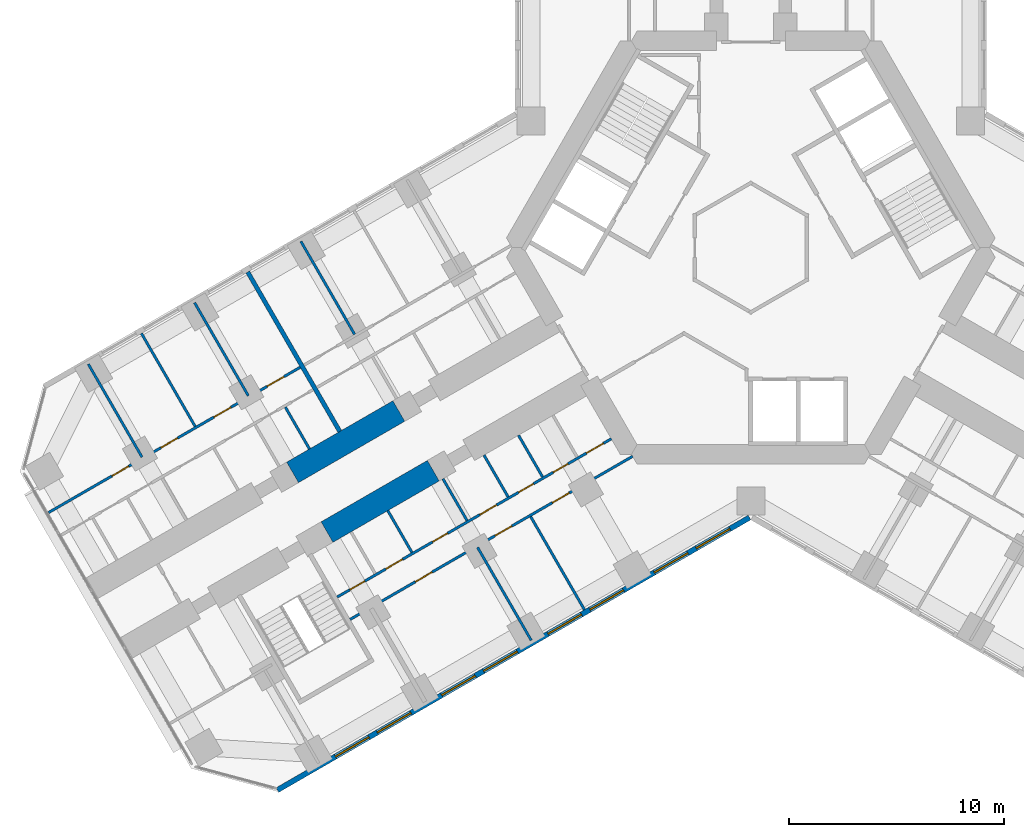
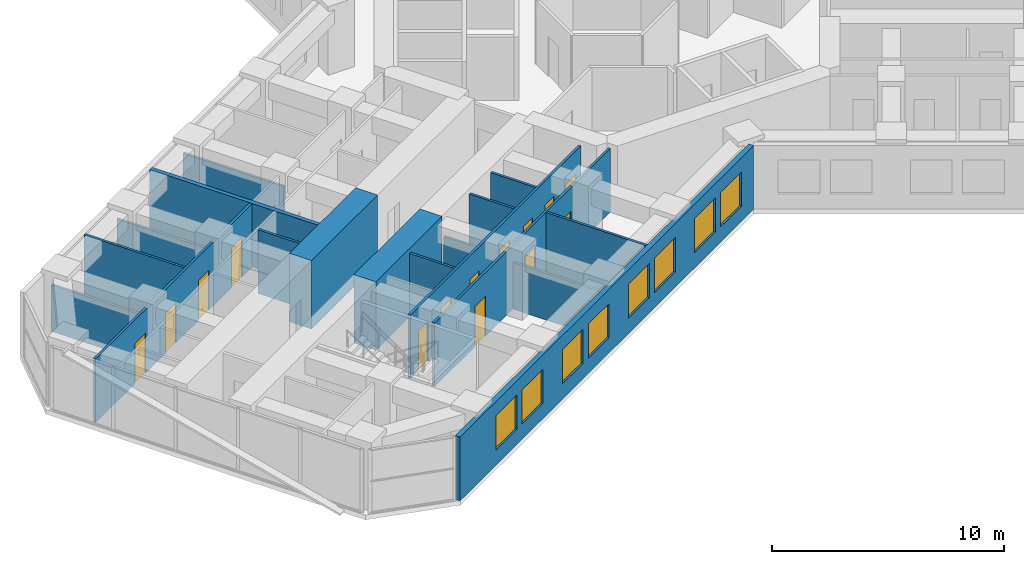
# One storey, part 11 of 19: 18 walls, 14 doors, 8 windows, 22 openings.
"""IFC4 building model written with IfcOpenShell, lengths in metres."""

import ifcopenshell
import ifcopenshell.guid

model = None  # the IFC model being written
_history = None  # IfcOwnerHistory: only IFC2X3 demands one
_inside = {}  # id of a spatial element -> (the spatial element, [elements in it])
_under = {}  # id of a project, library or spatial element -> (it, [spatial elements below it])
_declared = {}  # id of a project -> (the project, [libraries it declares])
_typed = {}  # id of a type object -> (the type object, [elements of that type])
_made_of = {}  # id of a material, layer set ... -> (it, [elements and type objects made of it])


def new_model(schema):
    """Start an empty IFC model of exactly this schema.

    Asked for "IFC4X3", IfcOpenShell would pick the latest addendum, in which some entities
    have other attributes; the version numbers below select the first issue.
    IFC2X3 requires an IfcOwnerHistory on every rooted entity: one is made here for all.
    """
    global model, _history
    if schema == "IFC4X3":
        model = ifcopenshell.file(schema_version=(4, 3, 0, 0))
    else:
        model = ifcopenshell.file(schema=schema)
    _inside.clear()
    _under.clear()
    _declared.clear()
    _typed.clear()
    _made_of.clear()
    _history = None
    if model.schema == "IFC2X3":
        org = make("IfcOrganization", Name="unknown")
        user = make(
            "IfcPersonAndOrganization",
            ThePerson=make("IfcPerson", FamilyName="unknown"),
            TheOrganization=org,
        )
        app = make(
            "IfcApplication",
            ApplicationDeveloper=org,
            Version="unknown",
            ApplicationFullName="unknown",
            ApplicationIdentifier="unknown",
        )
        _history = make(
            "IfcOwnerHistory",
            OwningUser=user,
            OwningApplication=app,
            ChangeAction="ADDED",
            CreationDate=0,
        )
    return model


def make(cls, **values):
    """One entity of the class cls with the attributes given. An attribute that is None is left unset."""
    return model.create_entity(
        cls, **{name: value for name, value in values.items() if value is not None}
    )


def rooted(cls, **values):
    """An entity with a GlobalId (a new one), such as an element, a storey or a relation."""
    return make(cls, GlobalId=ifcopenshell.guid.new(), OwnerHistory=_history, **values)


def si_unit(unit_type, name, prefix=None):
    """IfcSIUnit, for example si_unit("LENGTHUNIT", "METRE", prefix="MILLI")."""
    return make("IfcSIUnit", UnitType=unit_type, Prefix=prefix, Name=name)


def assignment(units):
    """IfcUnitAssignment: the units of a project."""
    return None if units is None else make("IfcUnitAssignment", Units=units)


def point(xyz):
    """IfcCartesianPoint."""
    return None if xyz is None else make("IfcCartesianPoint", Coordinates=xyz)


def direction(xyz):
    """IfcDirection."""
    return None if xyz is None else make("IfcDirection", DirectionRatios=xyz)


def frame(location, z_axis=None, x_axis=None):
    """IfcAxis2Placement3D, a coordinate frame: its origin and axes. An axis left out is left unset."""
    return make(
        "IfcAxis2Placement3D",
        Location=point(location),
        Axis=direction(z_axis),
        RefDirection=direction(x_axis),
    )


def frame_2d(location, x_axis=None):
    """IfcAxis2Placement2D, a coordinate frame in the plane: its origin and x axis."""
    return make(
        "IfcAxis2Placement2D", Location=point(location), RefDirection=direction(x_axis)
    )


def origin():
    """The frame at (0, 0, 0) with its axes left unset."""
    return frame((0.0, 0.0, 0.0))


def place(relative_to, where):
    """IfcLocalPlacement: puts the frame where relative to a parent placement (None: the world)."""
    return make(
        "IfcLocalPlacement", PlacementRelTo=relative_to, RelativePlacement=where
    )


def context(
    kind, dimensions, precision=None, world=None, true_north=None, identifier=None
):
    """IfcGeometricRepresentationContext, for example the 3D "Model" context."""
    return make(
        "IfcGeometricRepresentationContext",
        ContextIdentifier=identifier,
        ContextType=kind,
        CoordinateSpaceDimension=dimensions,
        Precision=precision,
        WorldCoordinateSystem=world,
        TrueNorth=true_north,
    )


def subcontext(parent, identifier, kind, view, scale=None):
    """IfcGeometricRepresentationSubContext, for example "Body" below "Model"."""
    return make(
        "IfcGeometricRepresentationSubContext",
        ContextIdentifier=identifier,
        ContextType=kind,
        ParentContext=parent,
        TargetScale=scale,
        TargetView=view,
    )


def project(units=None, contexts=None):
    """IfcProject with its units and contexts."""
    return rooted(
        "IfcProject",
        Name="project",
        RepresentationContexts=contexts,
        UnitsInContext=assignment(units),
    )


def spatial(cls, under=None, at=None, **own):
    """A site, building, storey or space (cls), placed at a placement, below another one or the project."""
    s = rooted(cls, ObjectPlacement=at, **own)
    if under is not None:
        _under.setdefault(under.id(), (under, []))[1].append(s)
    return s


def profile(cls, at=None, kind="AREA", **sizes):
    """A parametric profile (cls). Its sizes go by their IFC names, for example OverallWidth=200.0."""
    return make(cls, ProfileType=kind, Position=at, **sizes)


def rectangle(**sizes):
    """IfcRectangleProfileDef."""
    return profile("IfcRectangleProfileDef", **sizes)


def extrude(swept, where, along, depth):
    """IfcExtrudedAreaSolid: the profile swept, set in the frame where, extruded along a direction by depth."""
    return make(
        "IfcExtrudedAreaSolid",
        SweptArea=swept,
        Position=where,
        ExtrudedDirection=direction(along),
        Depth=depth,
    )


def shape(context_of_items, identifier, shape_type, items):
    """IfcShapeRepresentation: the items that make up one representation, for example the "Body"."""
    return make(
        "IfcShapeRepresentation",
        ContextOfItems=context_of_items,
        RepresentationIdentifier=identifier,
        RepresentationType=shape_type,
        Items=items,
    )


def material(Name=None, Category=None):
    """IfcMaterial."""
    return make("IfcMaterial", Name=Name, Category=Category)


def layer(
    of_material, thickness, ventilated=None, Name=None, Category=None, Priority=None
):
    """IfcMaterialLayer: one layer of a wall or slab, of a material (None: an air gap)."""
    return make(
        "IfcMaterialLayer",
        Material=of_material,
        LayerThickness=thickness,
        IsVentilated=ventilated,
        Name=Name,
        Category=Category,
        Priority=Priority,
    )


def layer_set(layers, Name=None):
    """IfcMaterialLayerSet."""
    return make("IfcMaterialLayerSet", MaterialLayers=layers, LayerSetName=Name)


def made_of(thing, what):
    """Note that an element or type object is made of a material, layer set ...; save() writes the relation."""
    if what is not None:
        _made_of.setdefault(what.id(), (what, []))[1].append(thing)
    return thing


def type_object(cls, material=None, **own):
    """A type object (cls), such as IfcWallType, which elements share."""
    return made_of(rooted(cls, **own), material)


def element(
    cls,
    number,
    at=None,
    inside=None,
    cuts=None,
    type_object=None,
    material=None,
    context=None,
    identifier="Body",
    shape_type=None,
    held_by="IfcProductDefinitionShape",
    body=None,
    shapes=None,
    **own,
):
    """One element of the class cls, such as IfcWall. Its Tag is "e" and its number.

    at: its placement. inside: the storey or other place that contains it. cuts: it is an
    opening in that element (IfcRelVoidsElement). A single representation is given by context,
    identifier, shape_type and body (its items); several are given by shapes. held_by: the class
    of the entity that holds the representations. save() writes the other relations.
    """
    e = rooted(cls, Tag="e%d" % number, ObjectPlacement=at, **own)
    if body is not None:
        shapes = [shape(context, identifier, shape_type, body)]
    if shapes is not None:
        e.Representation = make(held_by, Representations=shapes)
    if inside is not None:
        _inside.setdefault(inside.id(), (inside, []))[1].append(e)
    if cuts is not None:
        rooted(
            "IfcRelVoidsElement", RelatingBuildingElement=cuts, RelatedOpeningElement=e
        )
    if type_object is not None:
        _typed.setdefault(type_object.id(), (type_object, []))[1].append(e)
    return made_of(e, material)


def fill(opening, filler):
    """IfcRelFillsElement: the door or window that sits in an opening."""
    return rooted(
        "IfcRelFillsElement",
        RelatingOpeningElement=opening,
        RelatedBuildingElement=filler,
    )


def aggregate(whole, parts):
    """IfcRelAggregates: a whole, such as a stair, and the parts it consists of."""
    return rooted("IfcRelAggregates", RelatingObject=whole, RelatedObjects=parts)


def save(model, path):
    """Write the relations noted so far, then the file.

    IfcRelAggregates (storeys below a building ...), IfcRelContainedInSpatialStructure (elements
    in a storey), IfcRelDefinesByType, IfcRelAssociatesMaterial and IfcRelDeclares: one each for
    every whole, place, type object, material and project.
    """
    for whole, parts in _under.values():
        aggregate(whole, parts)
    for where, things in _inside.values():
        rooted(
            "IfcRelContainedInSpatialStructure",
            RelatedElements=things,
            RelatingStructure=where,
        )
    for kind, things in _typed.values():
        rooted("IfcRelDefinesByType", RelatedObjects=things, RelatingType=kind)
    for what, things in _made_of.values():
        rooted("IfcRelAssociatesMaterial", RelatedObjects=things, RelatingMaterial=what)
    for by, libraries in _declared.values():
        rooted("IfcRelDeclares", RelatingContext=by, RelatedDefinitions=libraries)
    model.write(path)


model = new_model("IFC4")

# Units and contexts
model_context = context("Model", 3, precision=1e-05, world=origin(), true_north=direction((0.0, 1.0)))
body_context = subcontext(model_context, "Body", "Model", "MODEL_VIEW")
ifc_project = project(units=[si_unit("LENGTHUNIT", "METRE"), si_unit("AREAUNIT", "SQUARE_METRE"), si_unit("VOLUMEUNIT", "CUBIC_METRE"), si_unit("PLANEANGLEUNIT", "RADIAN"), si_unit("MASSUNIT", "GRAM", prefix="KILO")], contexts=[model_context])

# Site, building, storey
site_placement = place(None, origin())
site = spatial("IfcSite", under=ifc_project, at=site_placement, CompositionType="ELEMENT")
building_placement = place(site_placement, origin())
building = spatial("IfcBuilding", under=site, at=building_placement, Name="Kosmar Iwan School Tower", CompositionType="ELEMENT")
storey_placement = place(building_placement, frame((0.0, 0.0, 120.199951171875)))
storey = spatial("IfcBuildingStorey", under=building, at=storey_placement, Name="L29", CompositionType="ELEMENT", Elevation=120.199951171875)

# Walls
ifc_material_1 = material(Name="Concrete C50/60", Category="concrete")
ifc_layer_1 = layer(ifc_material_1, 1.10009765625)
ifc_layer_set_1 = layer_set([ifc_layer_1], Name="Corridor buttress wall 1100")
wall_type_1 = type_object("IfcWallType", Name="Corridor buttress wall 1100", PredefinedType="SHEAR", material=ifc_layer_set_1)
for number, where, z_axis, x_axis, name in (
    (1, (-14.7451171875, -10.360595703125, 0.0), (0.0, 0.0, 1.0), (-0.866015111908, -0.50001782563, 0.0), "Corridor wall BL bay 2"),
    (2, (-16.34521484375, -7.58935546875, 0.0), (0.0, 0.0, 1.0), (-0.866015111908, -0.50001782563, 0.0), "Corridor wall BR bay 2"),
):
    element("IfcWall", number, at=place(storey_placement, frame(where, z_axis=z_axis, x_axis=x_axis)), inside=storey, type_object=wall_type_1, Name=name, PredefinedType="SHEAR", context=body_context, shape_type="SweptSolid", body=[
        extrude(rectangle(XDim=5.699951171875, YDim=1.10009765625, at=frame_2d((2.85009765625, 0.0))), origin(), (0.0, 0.0, 1.0), 3.60009765625),
    ])

# Wall, openings, doors
ifc_material_2 = material(Name="Gypsum board on steel studs", Category="steel")
ifc_layer_2 = layer(ifc_material_2, 0.1201171875)
ifc_layer_set_2 = layer_set([ifc_layer_2], Name="Dwelling partition 120")
wall_type_2 = type_object("IfcWallType", Name="Dwelling partition 120", PredefinedType="PARTITIONING", material=ifc_layer_set_2)
wall_1_placement = place(storey_placement, frame((-6.478515625, -8.87890625, 0.0), z_axis=(0.0, 0.0, 1.0), x_axis=(-0.866032090307, -0.499988418424, 0.0)))
wall_1 = element("IfcWall", 3, at=wall_1_placement, inside=storey, type_object=wall_type_2, Name="Partition L29-BL1-W1", PredefinedType="PARTITIONING", context=body_context, shape_type="SweptSolid", body=[
    extrude(rectangle(XDim=14.699951171875, YDim=0.1201171875, at=frame_2d((7.35009765625, 0.0))), origin(), (0.0, 0.0, 1.0), 3.35009765625),
])
opening_1_placement = place(wall_1_placement, frame((0.425048828125, 0.0, 0.0)))
opening_1 = element("IfcOpeningElement", 4, at=opening_1_placement, cuts=wall_1, Name="Opening D2", PredefinedType="OPENING", context=body_context, shape_type="SweptSolid", body=[
    extrude(rectangle(XDim=0.89990234375, YDim=2.10009765625, at=frame_2d((0.449951171875, 1.050048828125))), frame((0.0, 0.072021484375, 0.0), z_axis=(0.0, -1.0, 0.0), x_axis=(1.0, 0.0, 0.0)), (0.0, 0.0, 1.0), 0.14404296875),
])
opening_2_placement = place(wall_1_placement, frame((2.324951171875, 0.0, 0.0)))
opening_2 = element("IfcOpeningElement", 5, at=opening_2_placement, cuts=wall_1, Name="Opening D3", PredefinedType="OPENING", context=body_context, shape_type="SweptSolid", body=[
    extrude(rectangle(XDim=0.800048828125, YDim=2.10009765625, at=frame_2d((0.39990234375, 1.050048828125))), frame((0.0, 0.072021484375, 0.0), z_axis=(0.0, -1.0, 0.0), x_axis=(1.0, 0.0, 0.0)), (0.0, 0.0, 1.0), 0.14404296875),
])
opening_3_placement = place(wall_1_placement, frame((4.175048828125, 0.0, 0.0)))
opening_3 = element("IfcOpeningElement", 6, at=opening_3_placement, cuts=wall_1, Name="Opening D3", PredefinedType="OPENING", context=body_context, shape_type="SweptSolid", body=[
    extrude(rectangle(XDim=0.800048828125, YDim=2.10009765625, at=frame_2d((0.39990234375, 1.050048828125))), frame((0.0, 0.072021484375, 0.0), z_axis=(0.0, -1.0, 0.0), x_axis=(1.0, 0.0, 0.0)), (0.0, 0.0, 1.0), 0.14404296875),
])
opening_4_placement = place(wall_1_placement, frame((6.14990234375, 0.0, 0.0)))
opening_4 = element("IfcOpeningElement", 7, at=opening_4_placement, cuts=wall_1, Name="Opening D2", PredefinedType="OPENING", context=body_context, shape_type="SweptSolid", body=[
    extrude(rectangle(XDim=0.89990234375, YDim=2.10009765625, at=frame_2d((0.449951171875, 1.050048828125))), frame((0.0, 0.072021484375, 0.0), z_axis=(0.0, -1.0, 0.0), x_axis=(1.0, 0.0, 0.0)), (0.0, 0.0, 1.0), 0.14404296875),
])
opening_5_placement = place(wall_1_placement, frame((8.778564453125, 0.0, 0.0)))
opening_5 = element("IfcOpeningElement", 8, at=opening_5_placement, cuts=wall_1, Name="Opening D3", PredefinedType="OPENING", context=body_context, shape_type="SweptSolid", body=[
    extrude(rectangle(XDim=0.800048828125, YDim=2.10009765625, at=frame_2d((0.39990234375, 1.050048828125))), frame((0.0, 0.072021484375, 0.0), z_axis=(0.0, -1.0, 0.0), x_axis=(1.0, 0.0, 0.0)), (0.0, 0.0, 1.0), 0.14404296875),
])
opening_6_placement = place(wall_1_placement, frame((11.19287109375, 0.0, 0.0)))
opening_6 = element("IfcOpeningElement", 9, at=opening_6_placement, cuts=wall_1, Name="Opening D2", PredefinedType="OPENING", context=body_context, shape_type="SweptSolid", body=[
    extrude(rectangle(XDim=0.89990234375, YDim=2.10009765625, at=frame_2d((0.449951171875, 1.050048828125))), frame((0.0, 0.072021484375, 0.0), z_axis=(0.0, -1.0, 0.0), x_axis=(1.0, 0.0, 0.0)), (0.0, 0.0, 1.0), 0.14404296875),
])
opening_7_placement = place(wall_1_placement, frame((13.21435546875, 0.0, 0.0)))
opening_7 = element("IfcOpeningElement", 10, at=opening_7_placement, cuts=wall_1, Name="Opening D3", PredefinedType="OPENING", context=body_context, shape_type="SweptSolid", body=[
    extrude(rectangle(XDim=0.800048828125, YDim=2.10009765625, at=frame_2d((0.39990234375, 1.050048828125))), frame((0.0, 0.072021484375, 0.0), z_axis=(0.0, -1.0, 0.0), x_axis=(1.0, 0.0, 0.0)), (0.0, 0.0, 1.0), 0.14404296875),
])
ifc_material_3 = material(Name="Timber door in timber frame", Category="wood")
door_type_1 = type_object("IfcDoorType", Name="Internal door 900x2100", OperationType="SINGLE_SWING_LEFT", PredefinedType="DOOR", material=ifc_material_3)
door_1_placement = place(opening_1_placement, origin())
door_1 = element("IfcDoor", 11, at=door_1_placement, inside=storey, type_object=door_type_1, Name="Utility room door L29-BL1-S1", OperationType="SINGLE_SWING_LEFT", OverallHeight=2.10009765625, OverallWidth=0.89990234375, PredefinedType="DOOR", context=body_context, shape_type="SweptSolid", body=[
    extrude(rectangle(XDim=0.89990234375, YDim=2.10009765625, at=frame_2d((0.449951171875, 1.050048828125))), frame((0.0, 0.02490234375, 0.0), z_axis=(0.0, -1.0, 0.0), x_axis=(1.0, 0.0, 0.0)), (0.0, 0.0, 1.0), 0.050048828125),
])
fill(opening_1, door_1)
door_2_placement = place(opening_4_placement, origin())
door_2 = element("IfcDoor", 12, at=door_2_placement, inside=storey, type_object=door_type_1, Name="Entrance hall door L29-BL1-S4", OperationType="SINGLE_SWING_LEFT", OverallHeight=2.10009765625, OverallWidth=0.89990234375, PredefinedType="DOOR", context=body_context, shape_type="SweptSolid", body=[
    extrude(rectangle(XDim=0.89990234375, YDim=2.10009765625, at=frame_2d((0.449951171875, 1.050048828125))), frame((0.0, 0.02490234375, 0.0), z_axis=(0.0, -1.0, 0.0), x_axis=(1.0, 0.0, 0.0)), (0.0, 0.0, 1.0), 0.050048828125),
])
fill(opening_4, door_2)
door_3_placement = place(opening_6_placement, origin())
door_3 = element("IfcDoor", 13, at=door_3_placement, inside=storey, type_object=door_type_1, Name="Pantry door L29-BL1-S6", OperationType="SINGLE_SWING_RIGHT", OverallHeight=2.10009765625, OverallWidth=0.89990234375, PredefinedType="DOOR", context=body_context, shape_type="SweptSolid", body=[
    extrude(rectangle(XDim=0.89990234375, YDim=2.10009765625, at=frame_2d((0.449951171875, 1.050048828125))), frame((0.0, 0.02490234375, 0.0), z_axis=(0.0, -1.0, 0.0), x_axis=(1.0, 0.0, 0.0)), (0.0, 0.0, 1.0), 0.050048828125),
])
fill(opening_6, door_3)
ifc_material_4 = material(Name="Timber door in timber frame", Category="wood")
door_type_2 = type_object("IfcDoorType", Name="Sanitary room door 800x2100", OperationType="SINGLE_SWING_LEFT", PredefinedType="DOOR", material=ifc_material_4)
door_4_placement = place(opening_2_placement, origin())
door_4 = element("IfcDoor", 14, at=door_4_placement, inside=storey, type_object=door_type_2, Name="WC door L29-BL1-S2", OperationType="SINGLE_SWING_LEFT", OverallHeight=2.10009765625, OverallWidth=0.800048828125, PredefinedType="DOOR", context=body_context, shape_type="SweptSolid", body=[
    extrude(rectangle(XDim=0.800048828125, YDim=2.10009765625, at=frame_2d((0.39990234375, 1.050048828125))), frame((0.0, 0.02490234375, 0.0), z_axis=(0.0, -1.0, 0.0), x_axis=(1.0, 0.0, 0.0)), (0.0, 0.0, 1.0), 0.050048828125),
])
fill(opening_2, door_4)
door_5_placement = place(opening_3_placement, origin())
door_5 = element("IfcDoor", 15, at=door_5_placement, inside=storey, type_object=door_type_2, Name="Shower room door L29-BL1-S3", OperationType="SINGLE_SWING_LEFT", OverallHeight=2.10009765625, OverallWidth=0.800048828125, PredefinedType="DOOR", context=body_context, shape_type="SweptSolid", body=[
    extrude(rectangle(XDim=0.800048828125, YDim=2.10009765625, at=frame_2d((0.39990234375, 1.050048828125))), frame((0.0, 0.02490234375, 0.0), z_axis=(0.0, -1.0, 0.0), x_axis=(1.0, 0.0, 0.0)), (0.0, 0.0, 1.0), 0.050048828125),
])
fill(opening_3, door_5)
door_6_placement = place(opening_5_placement, origin())
door_6 = element("IfcDoor", 16, at=door_6_placement, inside=storey, type_object=door_type_2, Name="Bathroom door L29-BL1-S5", OperationType="SINGLE_SWING_RIGHT", OverallHeight=2.10009765625, OverallWidth=0.800048828125, PredefinedType="DOOR", context=body_context, shape_type="SweptSolid", body=[
    extrude(rectangle(XDim=0.800048828125, YDim=2.10009765625, at=frame_2d((0.39990234375, 1.050048828125))), frame((0.0, 0.02490234375, 0.0), z_axis=(0.0, -1.0, 0.0), x_axis=(1.0, 0.0, 0.0)), (0.0, 0.0, 1.0), 0.050048828125),
])
fill(opening_5, door_6)
door_7_placement = place(opening_7_placement, origin())
door_7 = element("IfcDoor", 17, at=door_7_placement, inside=storey, type_object=door_type_2, Name="Store door L29-BL1-S7", OperationType="SINGLE_SWING_RIGHT", OverallHeight=2.10009765625, OverallWidth=0.800048828125, PredefinedType="DOOR", context=body_context, shape_type="SweptSolid", body=[
    extrude(rectangle(XDim=0.800048828125, YDim=2.10009765625, at=frame_2d((0.39990234375, 1.050048828125))), frame((0.0, 0.02490234375, 0.0), z_axis=(0.0, -1.0, 0.0), x_axis=(1.0, 0.0, 0.0)), (0.0, 0.0, 1.0), 0.050048828125),
])
fill(opening_7, door_7)

wall_2_placement = place(storey_placement, frame((-5.48876953125, -9.693115234375, 0.0), z_axis=(0.0, 0.0, 1.0), x_axis=(-0.866028061085, -0.499995397393, 0.0)))
wall_2 = element("IfcWall", 18, at=wall_2_placement, inside=storey, type_object=wall_type_2, Name="Partition L29-BL1-W2", PredefinedType="PARTITIONING", context=body_context, shape_type="SweptSolid", body=[
    extrude(rectangle(XDim=15.150146484375, YDim=0.1201171875, at=frame_2d((7.5751953125, 0.0))), origin(), (0.0, 0.0, 1.0), 3.35009765625),
])
opening_8_placement = place(wall_2_placement, frame((3.39990234375, 0.0, 0.0)))
opening_8 = element("IfcOpeningElement", 19, at=opening_8_placement, cuts=wall_2, Name="Opening D2", PredefinedType="OPENING", context=body_context, shape_type="SweptSolid", body=[
    extrude(rectangle(XDim=0.89990234375, YDim=2.10009765625, at=frame_2d((0.449951171875, 1.050048828125))), frame((0.0, 0.072021484375, 0.0), z_axis=(0.0, -1.0, 0.0), x_axis=(1.0, 0.0, 0.0)), (0.0, 0.0, 1.0), 0.14404296875),
])
opening_9_placement = place(wall_2_placement, frame((6.47509765625, 0.0, 0.0)))
opening_9 = element("IfcOpeningElement", 20, at=opening_9_placement, cuts=wall_2, Name="Opening D2", PredefinedType="OPENING", context=body_context, shape_type="SweptSolid", body=[
    extrude(rectangle(XDim=0.89990234375, YDim=2.10009765625, at=frame_2d((0.449951171875, 1.050048828125))), frame((0.0, 0.072021484375, 0.0), z_axis=(0.0, -1.0, 0.0), x_axis=(1.0, 0.0, 0.0)), (0.0, 0.0, 1.0), 0.14404296875),
])
opening_10_placement = place(wall_2_placement, frame((10.75, 0.0, 0.0)))
opening_10 = element("IfcOpeningElement", 21, at=opening_10_placement, cuts=wall_2, Name="Opening D2", PredefinedType="OPENING", context=body_context, shape_type="SweptSolid", body=[
    extrude(rectangle(XDim=0.89990234375, YDim=2.10009765625, at=frame_2d((0.449951171875, 1.050048828125))), frame((0.0, 0.072021484375, 0.0), z_axis=(0.0, -1.0, 0.0), x_axis=(1.0, 0.0, 0.0)), (0.0, 0.0, 1.0), 0.14404296875),
])
door_8_placement = place(opening_8_placement, origin())
door_8 = element("IfcDoor", 22, at=door_8_placement, inside=storey, type_object=door_type_1, Name="Living room and kitchen door L29-BL1-F1", OperationType="SINGLE_SWING_RIGHT", OverallHeight=2.10009765625, OverallWidth=0.89990234375, PredefinedType="DOOR", context=body_context, shape_type="SweptSolid", body=[
    extrude(rectangle(XDim=0.89990234375, YDim=2.10009765625, at=frame_2d((0.449951171875, 1.050048828125))), frame((0.0, 0.02490234375, 0.0), z_axis=(0.0, -1.0, 0.0), x_axis=(1.0, 0.0, 0.0)), (0.0, 0.0, 1.0), 0.050048828125),
])
fill(opening_8, door_8)
door_9_placement = place(opening_9_placement, origin())
door_9 = element("IfcDoor", 23, at=door_9_placement, inside=storey, type_object=door_type_1, Name="Bedroom 1 door L29-BL1-F2", OperationType="SINGLE_SWING_RIGHT", OverallHeight=2.10009765625, OverallWidth=0.89990234375, PredefinedType="DOOR", context=body_context, shape_type="SweptSolid", body=[
    extrude(rectangle(XDim=0.89990234375, YDim=2.10009765625, at=frame_2d((0.449951171875, 1.050048828125))), frame((0.0, 0.02490234375, 0.0), z_axis=(0.0, -1.0, 0.0), x_axis=(1.0, 0.0, 0.0)), (0.0, 0.0, 1.0), 0.050048828125),
])
fill(opening_9, door_9)
door_10_placement = place(opening_10_placement, origin())
door_10 = element("IfcDoor", 24, at=door_10_placement, inside=storey, type_object=door_type_1, Name="Bedroom 2 door L29-BL1-F3", OperationType="SINGLE_SWING_LEFT", OverallHeight=2.10009765625, OverallWidth=0.89990234375, PredefinedType="DOOR", context=body_context, shape_type="SweptSolid", body=[
    extrude(rectangle(XDim=0.89990234375, YDim=2.10009765625, at=frame_2d((0.449951171875, 1.050048828125))), frame((0.0, 0.02490234375, 0.0), z_axis=(0.0, -1.0, 0.0), x_axis=(1.0, 0.0, 0.0)), (0.0, 0.0, 1.0), 0.050048828125),
])
fill(opening_10, door_10)

# Walls
wall_3_placement = place(storey_placement, frame((-10.221923828125, -12.4951171875, 0.0), z_axis=(0.0, 0.0, 1.0), x_axis=(0.499996339024, -0.86602751744, 0.0)))
element("IfcWall", 25, at=wall_3_placement, inside=storey, type_object=wall_type_2, Name="Partition L29-BL1-X1", PredefinedType="PARTITIONING", context=body_context, shape_type="SweptSolid", body=[
    extrude(rectangle(XDim=4.98974609375, YDim=0.1201171875, at=frame_2d((2.494873046875, 0.0))), origin(), (0.0, 0.0, 1.0), 3.35009765625),
])
wall_4_placement = place(storey_placement, frame((-12.690185546875, -13.919921875, 0.0), z_axis=(0.0, 0.0, 1.0), x_axis=(0.500011847778, -0.866018563358, 0.0)))
element("IfcWall", 26, at=wall_4_placement, inside=storey, type_object=wall_type_2, Name="Partition L29-BL1-X2", PredefinedType="PARTITIONING", context=body_context, shape_type="SweptSolid", body=[
    extrude(rectangle(XDim=4.990234375, YDim=0.1201171875, at=frame_2d((2.4951171875, 0.0))), origin(), (0.0, 0.0, 1.0), 2.449951171875),
])
for number, where, z_axis, x_axis, name in (
    (27, (-10.78955078125, -8.7119140625, 0.0), (0.0, 0.0, 1.0), (0.500030632641, -0.866007717299, 0.0), "Partition L29-BL1-Y2"),
    (28, (-12.3916015625, -9.636962890625, 0.0), (0.0, 0.0, 1.0), (0.49994888933, -0.866054910533, 0.0), "Partition L29-BL1-Y3"),
):
    element("IfcWall", number, at=place(storey_placement, frame(where, z_axis=z_axis, x_axis=x_axis)), inside=storey, type_object=wall_type_2, Name=name, PredefinedType="PARTITIONING", context=body_context, shape_type="SweptSolid", body=[
        extrude(rectangle(XDim=2.239990234375, YDim=0.1201171875, at=frame_2d((1.1201171875, 0.0))), origin(), (0.0, 0.0, 1.0), 3.35009765625),
    ])
wall_5_placement = place(storey_placement, frame((-14.296875, -10.737060546875, 0.0), z_axis=(0.0, 0.0, 1.0), x_axis=(0.49999608499, -0.866027664105, 0.0)))
element("IfcWall", 29, at=wall_5_placement, inside=storey, type_object=wall_type_2, Name="Partition L29-BL1-Y4", PredefinedType="PARTITIONING", context=body_context, shape_type="SweptSolid", body=[
    extrude(rectangle(XDim=2.23974609375, YDim=0.1201171875, at=frame_2d((1.119873046875, 0.0))), origin(), (0.0, 0.0, 1.0), 2.449951171875),
])
wall_6_placement = place(storey_placement, frame((-16.85791015625, -12.215576171875, 0.0), z_axis=(0.0, 0.0, 1.0), x_axis=(0.500030632641, -0.866007717299, 0.0)))
element("IfcWall", 30, at=wall_6_placement, inside=storey, type_object=wall_type_2, Name="Partition L29-BL1-Y5", PredefinedType="PARTITIONING", context=body_context, shape_type="SweptSolid", body=[
    extrude(rectangle(XDim=2.239990234375, YDim=0.1201171875, at=frame_2d((1.1201171875, 0.0))), origin(), (0.0, 0.0, 1.0), 3.35009765625),
])
wall_7_placement = place(storey_placement, frame((-18.400146484375, -4.030029296875, 0.0), z_axis=(0.0, 0.0, 1.0), x_axis=(-0.500011847778, 0.866018563358, 0.0)))
element("IfcWall", 31, at=wall_7_placement, inside=storey, type_object=wall_type_2, Name="Partition L29-BR1-X3", PredefinedType="PARTITIONING", context=body_context, shape_type="SweptSolid", body=[
    extrude(rectangle(XDim=4.990234375, YDim=0.1201171875, at=frame_2d((2.4951171875, 0.0))), origin(), (0.0, 0.0, 1.0), 2.449951171875),
])

# Wall, openings, doors
wall_8_placement = place(storey_placement, frame((-20.9248046875, -5.556884765625, 0.0), z_axis=(0.0, 0.0, 1.0), x_axis=(-0.866028025956, -0.499995458239, 0.0)))
wall_8 = element("IfcWall", 32, at=wall_8_placement, inside=storey, type_object=wall_type_2, Name="Partition L29-BR2-W2", PredefinedType="PARTITIONING", context=body_context, shape_type="SweptSolid", body=[
    extrude(rectangle(XDim=13.495361328125, YDim=0.1201171875, at=frame_2d((6.74755859375, 0.0))), origin(), (0.0, 0.0, 1.0), 3.35009765625),
])
opening_11_placement = place(wall_8_placement, frame((0.875, 0.0, 0.0)))
opening_11 = element("IfcOpeningElement", 33, at=opening_11_placement, cuts=wall_8, Name="Opening D2", PredefinedType="OPENING", context=body_context, shape_type="SweptSolid", body=[
    extrude(rectangle(XDim=0.89990234375, YDim=2.10009765625, at=frame_2d((0.449951171875, 1.050048828125))), frame((0.0, 0.072021484375, 0.0), z_axis=(0.0, -1.0, 0.0), x_axis=(1.0, 0.0, 0.0)), (0.0, 0.0, 1.0), 0.14404296875),
])
opening_12_placement = place(wall_8_placement, frame((3.72509765625, 0.0, 0.0)))
opening_12 = element("IfcOpeningElement", 34, at=opening_12_placement, cuts=wall_8, Name="Opening D2", PredefinedType="OPENING", context=body_context, shape_type="SweptSolid", body=[
    extrude(rectangle(XDim=0.89990234375, YDim=2.10009765625, at=frame_2d((0.449951171875, 1.050048828125))), frame((0.0, 0.072021484375, 0.0), z_axis=(0.0, -1.0, 0.0), x_axis=(1.0, 0.0, 0.0)), (0.0, 0.0, 1.0), 0.14404296875),
])
opening_13_placement = place(wall_8_placement, frame((6.574951171875, 0.0, 0.0)))
opening_13 = element("IfcOpeningElement", 35, at=opening_13_placement, cuts=wall_8, Name="Opening D2", PredefinedType="OPENING", context=body_context, shape_type="SweptSolid", body=[
    extrude(rectangle(XDim=0.89990234375, YDim=2.10009765625, at=frame_2d((0.449951171875, 1.050048828125))), frame((0.0, 0.072021484375, 0.0), z_axis=(0.0, -1.0, 0.0), x_axis=(1.0, 0.0, 0.0)), (0.0, 0.0, 1.0), 0.14404296875),
])
opening_14_placement = place(wall_8_placement, frame((9.199951171875, 0.0, 0.0)))
opening_14 = element("IfcOpeningElement", 36, at=opening_14_placement, cuts=wall_8, Name="Opening D2", PredefinedType="OPENING", context=body_context, shape_type="SweptSolid", body=[
    extrude(rectangle(XDim=0.89990234375, YDim=2.10009765625, at=frame_2d((0.449951171875, 1.050048828125))), frame((0.0, 0.072021484375, 0.0), z_axis=(0.0, -1.0, 0.0), x_axis=(1.0, 0.0, 0.0)), (0.0, 0.0, 1.0), 0.14404296875),
])
door_11_placement = place(opening_11_placement, origin())
door_11 = element("IfcDoor", 37, at=door_11_placement, inside=storey, type_object=door_type_1, Name="Study door L29-BR2-F1", OperationType="SINGLE_SWING_LEFT", OverallHeight=2.10009765625, OverallWidth=0.89990234375, PredefinedType="DOOR", context=body_context, shape_type="SweptSolid", body=[
    extrude(rectangle(XDim=0.89990234375, YDim=2.10009765625, at=frame_2d((0.449951171875, 1.050048828125))), frame((0.0, 0.02490234375, 0.0), z_axis=(0.0, -1.0, 0.0), x_axis=(1.0, 0.0, 0.0)), (0.0, 0.0, 1.0), 0.050048828125),
])
fill(opening_11, door_11)
door_12_placement = place(opening_12_placement, origin())
door_12 = element("IfcDoor", 38, at=door_12_placement, inside=storey, type_object=door_type_1, Name="Bedroom 1 door L29-BR2-F2", OperationType="SINGLE_SWING_LEFT", OverallHeight=2.10009765625, OverallWidth=0.89990234375, PredefinedType="DOOR", context=body_context, shape_type="SweptSolid", body=[
    extrude(rectangle(XDim=0.89990234375, YDim=2.10009765625, at=frame_2d((0.449951171875, 1.050048828125))), frame((0.0, 0.02490234375, 0.0), z_axis=(0.0, -1.0, 0.0), x_axis=(1.0, 0.0, 0.0)), (0.0, 0.0, 1.0), 0.050048828125),
])
fill(opening_12, door_12)
door_13_placement = place(opening_13_placement, origin())
door_13 = element("IfcDoor", 39, at=door_13_placement, inside=storey, type_object=door_type_1, Name="Bedroom 2 door L29-BR2-F3", OperationType="SINGLE_SWING_RIGHT", OverallHeight=2.10009765625, OverallWidth=0.89990234375, PredefinedType="DOOR", context=body_context, shape_type="SweptSolid", body=[
    extrude(rectangle(XDim=0.89990234375, YDim=2.10009765625, at=frame_2d((0.449951171875, 1.050048828125))), frame((0.0, 0.02490234375, 0.0), z_axis=(0.0, -1.0, 0.0), x_axis=(1.0, 0.0, 0.0)), (0.0, 0.0, 1.0), 0.050048828125),
])
fill(opening_13, door_13)
door_14_placement = place(opening_14_placement, origin())
door_14 = element("IfcDoor", 40, at=door_14_placement, inside=storey, type_object=door_type_1, Name="Living room and kitchen door L29-BR2-F4", OperationType="SINGLE_SWING_RIGHT", OverallHeight=2.10009765625, OverallWidth=0.89990234375, PredefinedType="DOOR", context=body_context, shape_type="SweptSolid", body=[
    extrude(rectangle(XDim=0.89990234375, YDim=2.10009765625, at=frame_2d((0.449951171875, 1.050048828125))), frame((0.0, 0.02490234375, 0.0), z_axis=(0.0, -1.0, 0.0), x_axis=(1.0, 0.0, 0.0)), (0.0, 0.0, 1.0), 0.050048828125),
])
fill(opening_14, door_14)

# Walls
wall_9_placement = place(storey_placement, frame((-23.33642578125, -6.8798828125, 0.0), z_axis=(0.0, 0.0, 1.0), x_axis=(-0.500033033937, 0.866006330792, 0.0)))
element("IfcWall", 41, at=wall_9_placement, inside=storey, type_object=wall_type_2, Name="Partition L29-BR2-X1", PredefinedType="PARTITIONING", context=body_context, shape_type="SweptSolid", body=[
    extrude(rectangle(XDim=4.989990234375, YDim=0.1201171875, at=frame_2d((2.4951171875, 0.0))), origin(), (0.0, 0.0, 1.0), 2.449951171875),
])
wall_10_placement = place(storey_placement, frame((-25.8046875, -8.304931640625, 0.0), z_axis=(0.0, 0.0, 1.0), x_axis=(-0.499975153383, 0.86603974851, 0.0)))
element("IfcWall", 42, at=wall_10_placement, inside=storey, type_object=wall_type_2, Name="Partition L29-BR2-X2", PredefinedType="PARTITIONING", context=body_context, shape_type="SweptSolid", body=[
    extrude(rectangle(XDim=4.989990234375, YDim=0.1201171875, at=frame_2d((2.4951171875, 0.0))), origin(), (0.0, 0.0, 1.0), 3.35009765625),
])
wall_11_placement = place(storey_placement, frame((-28.27294921875, -9.72998046875, 0.0), z_axis=(0.0, 0.0, 1.0), x_axis=(-0.499975153383, 0.86603974851, 0.0)))
element("IfcWall", 43, at=wall_11_placement, inside=storey, type_object=wall_type_2, Name="Partition L29-BR2-X3", PredefinedType="PARTITIONING", context=body_context, shape_type="SweptSolid", body=[
    extrude(rectangle(XDim=4.989990234375, YDim=0.1201171875, at=frame_2d((2.4951171875, 0.0))), origin(), (0.0, 0.0, 1.0), 2.449951171875),
])
wall_12_placement = place(storey_placement, frame((-20.49560546875, -9.3505859375, 0.0), z_axis=(0.0, 0.0, 1.0), x_axis=(-0.500030632641, 0.866007717299, 0.0)))
element("IfcWall", 44, at=wall_12_placement, inside=storey, type_object=wall_type_2, Name="Partition L29-BR2-Y1", PredefinedType="PARTITIONING", context=body_context, shape_type="SweptSolid", body=[
    extrude(rectangle(XDim=2.239990234375, YDim=0.1201171875, at=frame_2d((1.1201171875, 0.0))), origin(), (0.0, 0.0, 1.0), 3.35009765625),
])

# Wall, openings, windows
ifc_material_5 = material(Name="Black aluminium rainscreen on insulated framing", Category="aluminium")
ifc_layer_3 = layer(ifc_material_5, 0.25)
ifc_layer_set_3 = layer_set([ifc_layer_3], Name="External wall rainscreen 250")
wall_type_3 = type_object("IfcWallType", Name="External wall rainscreen 250", PredefinedType="SOLIDWALL", material=ifc_layer_set_3)
wall_13_placement = place(storey_placement, frame((-0.063232421875, -12.5361328125, 0.0), z_axis=(0.0, 0.0, 1.0), x_axis=(-0.866026575979, -0.499997969693, 0.0)))
wall_13 = element("IfcWall", 45, at=wall_13_placement, inside=storey, type_object=wall_type_3, Name="External wall BL L29", PredefinedType="SOLIDWALL", context=body_context, shape_type="SweptSolid", body=[
    extrude(rectangle(XDim=25.3125, YDim=0.25, at=frame_2d((12.65625, 0.0))), origin(), (0.0, 0.0, 1.0), 3.35009765625),
])
opening_15_placement = place(wall_13_placement, frame((1.052001953125, 0.0, 0.800048828125)))
opening_15 = element("IfcOpeningElement", 46, at=opening_15_placement, cuts=wall_13, Name="Opening W1", PredefinedType="OPENING", context=body_context, shape_type="SweptSolid", body=[
    extrude(rectangle(XDim=1.800048828125, YDim=1.800048828125, at=frame_2d((0.89990234375, 0.89990234375))), frame((0.0, 0.136962890625, 0.0), z_axis=(0.0, -1.0, 0.0), x_axis=(1.0, 0.0, 0.0)), (0.0, 0.0, 1.0), 0.27392578125),
])
opening_16_placement = place(wall_13_placement, frame((3.302001953125, 0.0, 0.800048828125)))
opening_16 = element("IfcOpeningElement", 47, at=opening_16_placement, cuts=wall_13, Name="Opening W1", PredefinedType="OPENING", context=body_context, shape_type="SweptSolid", body=[
    extrude(rectangle(XDim=1.800048828125, YDim=1.800048828125, at=frame_2d((0.89990234375, 0.89990234375))), frame((0.0, 0.136962890625, 0.0), z_axis=(0.0, -1.0, 0.0), x_axis=(1.0, 0.0, 0.0)), (0.0, 0.0, 1.0), 0.27392578125),
])
opening_17_placement = place(wall_13_placement, frame((6.751953125, 0.0, 0.800048828125)))
opening_17 = element("IfcOpeningElement", 48, at=opening_17_placement, cuts=wall_13, Name="Opening W1", PredefinedType="OPENING", context=body_context, shape_type="SweptSolid", body=[
    extrude(rectangle(XDim=1.800048828125, YDim=1.800048828125, at=frame_2d((0.89990234375, 0.89990234375))), frame((0.0, 0.136962890625, 0.0), z_axis=(0.0, -1.0, 0.0), x_axis=(1.0, 0.0, 0.0)), (0.0, 0.0, 1.0), 0.27392578125),
])
opening_18_placement = place(wall_13_placement, frame((9.001953125, 0.0, 0.800048828125)))
opening_18 = element("IfcOpeningElement", 49, at=opening_18_placement, cuts=wall_13, Name="Opening W1", PredefinedType="OPENING", context=body_context, shape_type="SweptSolid", body=[
    extrude(rectangle(XDim=1.800048828125, YDim=1.800048828125, at=frame_2d((0.89990234375, 0.89990234375))), frame((0.0, 0.136962890625, 0.0), z_axis=(0.0, -1.0, 0.0), x_axis=(1.0, 0.0, 0.0)), (0.0, 0.0, 1.0), 0.27392578125),
])
opening_19_placement = place(wall_13_placement, frame((12.4521484375, 0.0, 0.800048828125)))
opening_19 = element("IfcOpeningElement", 50, at=opening_19_placement, cuts=wall_13, Name="Opening W1", PredefinedType="OPENING", context=body_context, shape_type="SweptSolid", body=[
    extrude(rectangle(XDim=1.800048828125, YDim=1.800048828125, at=frame_2d((0.89990234375, 0.89990234375))), frame((0.0, 0.136962890625, 0.0), z_axis=(0.0, -1.0, 0.0), x_axis=(1.0, 0.0, 0.0)), (0.0, 0.0, 1.0), 0.27392578125),
])
opening_20_placement = place(wall_13_placement, frame((14.7021484375, 0.0, 0.800048828125)))
opening_20 = element("IfcOpeningElement", 51, at=opening_20_placement, cuts=wall_13, Name="Opening W1", PredefinedType="OPENING", context=body_context, shape_type="SweptSolid", body=[
    extrude(rectangle(XDim=1.800048828125, YDim=1.800048828125, at=frame_2d((0.89990234375, 0.89990234375))), frame((0.0, 0.136962890625, 0.0), z_axis=(0.0, -1.0, 0.0), x_axis=(1.0, 0.0, 0.0)), (0.0, 0.0, 1.0), 0.27392578125),
])
opening_21_placement = place(wall_13_placement, frame((18.152099609375, 0.0, 0.800048828125)))
opening_21 = element("IfcOpeningElement", 52, at=opening_21_placement, cuts=wall_13, Name="Opening W1", PredefinedType="OPENING", context=body_context, shape_type="SweptSolid", body=[
    extrude(rectangle(XDim=1.800048828125, YDim=1.800048828125, at=frame_2d((0.89990234375, 0.89990234375))), frame((0.0, 0.136962890625, 0.0), z_axis=(0.0, -1.0, 0.0), x_axis=(1.0, 0.0, 0.0)), (0.0, 0.0, 1.0), 0.27392578125),
])
opening_22_placement = place(wall_13_placement, frame((20.402099609375, 0.0, 0.800048828125)))
opening_22 = element("IfcOpeningElement", 53, at=opening_22_placement, cuts=wall_13, Name="Opening W1", PredefinedType="OPENING", context=body_context, shape_type="SweptSolid", body=[
    extrude(rectangle(XDim=1.800048828125, YDim=1.800048828125, at=frame_2d((0.89990234375, 0.89990234375))), frame((0.0, 0.136962890625, 0.0), z_axis=(0.0, -1.0, 0.0), x_axis=(1.0, 0.0, 0.0)), (0.0, 0.0, 1.0), 0.27392578125),
])
ifc_material_6 = material(Name="Black aluminium frame with dark triple glazing", Category="aluminium")
window_type = type_object("IfcWindowType", Name="Window 1800x1800", PartitioningType="SINGLE_PANEL", PredefinedType="WINDOW", material=ifc_material_6)
window_1_placement = place(opening_15_placement, origin())
window_1 = element("IfcWindow", 54, at=window_1_placement, inside=storey, type_object=window_type, Name="Window BL L29 -1", OverallHeight=1.800048828125, OverallWidth=1.800048828125, PartitioningType="SINGLE_PANEL", PredefinedType="WINDOW", context=body_context, shape_type="SweptSolid", body=[
    extrude(rectangle(XDim=1.800048828125, YDim=1.800048828125, at=frame_2d((0.89990234375, 0.89990234375))), frame((0.0, 0.030029296875, 0.0), z_axis=(0.0, -1.0, 0.0), x_axis=(1.0, 0.0, 0.0)), (0.0, 0.0, 1.0), 0.06005859375),
])
fill(opening_15, window_1)
window_2_placement = place(opening_16_placement, origin())
window_2 = element("IfcWindow", 55, at=window_2_placement, inside=storey, type_object=window_type, Name="Window BL L29 0", OverallHeight=1.800048828125, OverallWidth=1.800048828125, PartitioningType="SINGLE_PANEL", PredefinedType="WINDOW", context=body_context, shape_type="SweptSolid", body=[
    extrude(rectangle(XDim=1.800048828125, YDim=1.800048828125, at=frame_2d((0.89990234375, 0.89990234375))), frame((0.0, 0.030029296875, 0.0), z_axis=(0.0, -1.0, 0.0), x_axis=(1.0, 0.0, 0.0)), (0.0, 0.0, 1.0), 0.06005859375),
])
fill(opening_16, window_2)
window_3_placement = place(opening_17_placement, origin())
window_3 = element("IfcWindow", 56, at=window_3_placement, inside=storey, type_object=window_type, Name="Window BL L29 1", OverallHeight=1.800048828125, OverallWidth=1.800048828125, PartitioningType="SINGLE_PANEL", PredefinedType="WINDOW", context=body_context, shape_type="SweptSolid", body=[
    extrude(rectangle(XDim=1.800048828125, YDim=1.800048828125, at=frame_2d((0.89990234375, 0.89990234375))), frame((0.0, 0.030029296875, 0.0), z_axis=(0.0, -1.0, 0.0), x_axis=(1.0, 0.0, 0.0)), (0.0, 0.0, 1.0), 0.06005859375),
])
fill(opening_17, window_3)
window_4_placement = place(opening_18_placement, origin())
window_4 = element("IfcWindow", 57, at=window_4_placement, inside=storey, type_object=window_type, Name="Window BL L29 2", OverallHeight=1.800048828125, OverallWidth=1.800048828125, PartitioningType="SINGLE_PANEL", PredefinedType="WINDOW", context=body_context, shape_type="SweptSolid", body=[
    extrude(rectangle(XDim=1.800048828125, YDim=1.800048828125, at=frame_2d((0.89990234375, 0.89990234375))), frame((0.0, 0.030029296875, 0.0), z_axis=(0.0, -1.0, 0.0), x_axis=(1.0, 0.0, 0.0)), (0.0, 0.0, 1.0), 0.06005859375),
])
fill(opening_18, window_4)
window_5_placement = place(opening_19_placement, origin())
window_5 = element("IfcWindow", 58, at=window_5_placement, inside=storey, type_object=window_type, Name="Window BL L29 3", OverallHeight=1.800048828125, OverallWidth=1.800048828125, PartitioningType="SINGLE_PANEL", PredefinedType="WINDOW", context=body_context, shape_type="SweptSolid", body=[
    extrude(rectangle(XDim=1.800048828125, YDim=1.800048828125, at=frame_2d((0.89990234375, 0.89990234375))), frame((0.0, 0.030029296875, 0.0), z_axis=(0.0, -1.0, 0.0), x_axis=(1.0, 0.0, 0.0)), (0.0, 0.0, 1.0), 0.06005859375),
])
fill(opening_19, window_5)
window_6_placement = place(opening_20_placement, origin())
window_6 = element("IfcWindow", 59, at=window_6_placement, inside=storey, type_object=window_type, Name="Window BL L29 4", OverallHeight=1.800048828125, OverallWidth=1.800048828125, PartitioningType="SINGLE_PANEL", PredefinedType="WINDOW", context=body_context, shape_type="SweptSolid", body=[
    extrude(rectangle(XDim=1.800048828125, YDim=1.800048828125, at=frame_2d((0.89990234375, 0.89990234375))), frame((0.0, 0.030029296875, 0.0), z_axis=(0.0, -1.0, 0.0), x_axis=(1.0, 0.0, 0.0)), (0.0, 0.0, 1.0), 0.06005859375),
])
fill(opening_20, window_6)
window_7_placement = place(opening_21_placement, origin())
window_7 = element("IfcWindow", 60, at=window_7_placement, inside=storey, type_object=window_type, Name="Window BL L29 5", OverallHeight=1.800048828125, OverallWidth=1.800048828125, PartitioningType="SINGLE_PANEL", PredefinedType="WINDOW", context=body_context, shape_type="SweptSolid", body=[
    extrude(rectangle(XDim=1.800048828125, YDim=1.800048828125, at=frame_2d((0.89990234375, 0.89990234375))), frame((0.0, 0.030029296875, 0.0), z_axis=(0.0, -1.0, 0.0), x_axis=(1.0, 0.0, 0.0)), (0.0, 0.0, 1.0), 0.06005859375),
])
fill(opening_21, window_7)
window_8_placement = place(opening_22_placement, origin())
window_8 = element("IfcWindow", 61, at=window_8_placement, inside=storey, type_object=window_type, Name="Window BL L29 6", OverallHeight=1.800048828125, OverallWidth=1.800048828125, PartitioningType="SINGLE_PANEL", PredefinedType="WINDOW", context=body_context, shape_type="SweptSolid", body=[
    extrude(rectangle(XDim=1.800048828125, YDim=1.800048828125, at=frame_2d((0.89990234375, 0.89990234375))), frame((0.0, 0.030029296875, 0.0), z_axis=(0.0, -1.0, 0.0), x_axis=(1.0, 0.0, 0.0)), (0.0, 0.0, 1.0), 0.06005859375),
])
fill(opening_22, window_8)

# Wall
ifc_material_7 = material(Name="Concrete block masonry", Category="masonry")
ifc_layer_4 = layer(ifc_material_7, 0.199951171875)
ifc_layer_set_4 = layer_set([ifc_layer_4], Name="Party wall 200")
wall_type_4 = type_object("IfcWallType", Name="Party wall 200", PredefinedType="PARTITIONING", material=ifc_layer_set_4)
wall_14_placement = place(storey_placement, frame((-19.08837890625, -8.5380859375, 0.0), z_axis=(0.0, 0.0, 1.0), x_axis=(-0.499990227581, 0.86603104582, 0.0)))
element("IfcWall", 62, at=wall_14_placement, inside=storey, type_object=wall_type_4, Name="Partition L29-BR2-PW", PredefinedType="PARTITIONING", context=body_context, shape_type="SweptSolid", body=[
    extrude(rectangle(XDim=8.550048828125, YDim=0.199951171875, at=frame_2d((4.27490234375, 0.0))), origin(), (0.0, 0.0, 1.0), 3.35009765625),
])

save(model, "model.ifc")
